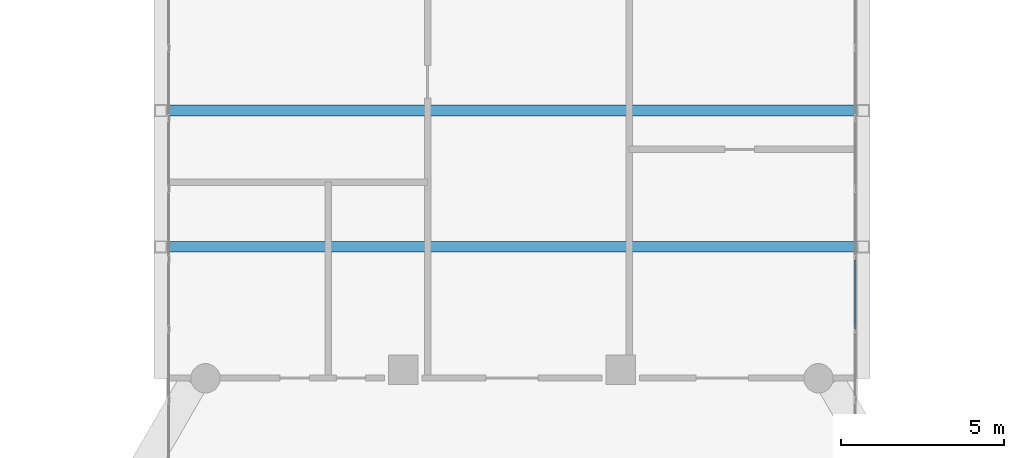
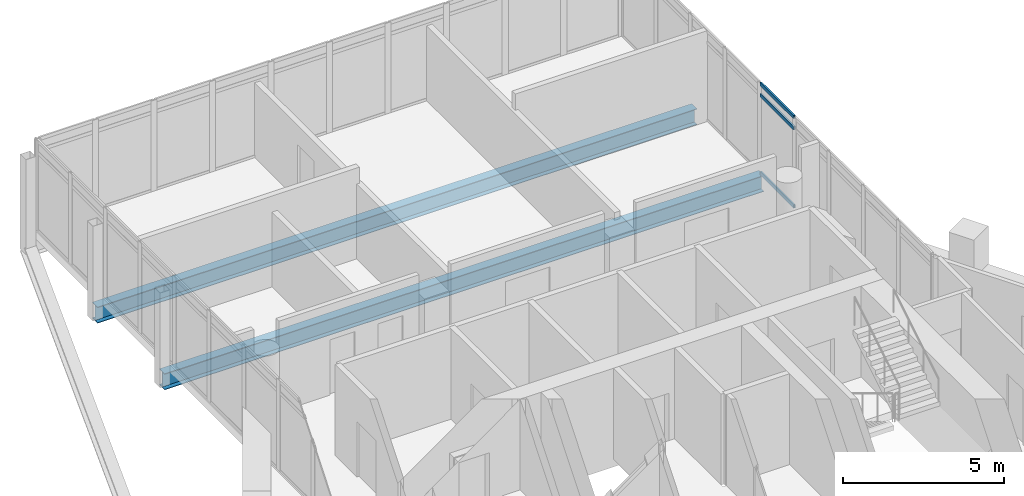
# One storey, part 20 of 34: 3 members, 2 beams, 1 element without a shape of its own.
"""IFC4 building model written with IfcOpenShell, lengths in metres."""

from ifc_helpers import new_model, si_unit, direction, frame, origin, origin_2d, place, context, subcontext, project, spatial, hollow_rectangle, i_section, extrude, material, material_profile, profile_set, type_object, element, aggregate, save


model = new_model("IFC4")

# Units and contexts
model_context = context("Model", 3, precision=1e-05, world=origin(), true_north=direction((0.0, 1.0)))
body_context = subcontext(model_context, "Body", "Model", "MODEL_VIEW")
ifc_project = project(units=[si_unit("LENGTHUNIT", "METRE"), si_unit("AREAUNIT", "SQUARE_METRE"), si_unit("VOLUMEUNIT", "CUBIC_METRE"), si_unit("PLANEANGLEUNIT", "RADIAN"), si_unit("MASSUNIT", "GRAM", prefix="KILO")], contexts=[model_context])

# Site, building, storey
site_placement = place(None, origin())
site = spatial("IfcSite", under=ifc_project, at=site_placement, CompositionType="ELEMENT")
building_placement = place(site_placement, origin())
building = spatial("IfcBuilding", under=site, at=building_placement, Name="Ostrander Bayou Hotel Tower", CompositionType="ELEMENT")
storey_placement = place(building_placement, frame((0.0, 0.0, 222.0)))
storey = spatial("IfcBuildingStorey", under=building, at=storey_placement, Name="L55", CompositionType="ELEMENT", Elevation=222.0)

# Curtain wall, members
ifc_material_1 = material(Name="Aluminium and clear glass", Category="aluminium")
curtain_wall_type = type_object("IfcCurtainWallType", Name="CW-BAR glazed wall", PredefinedType="NOTDEFINED", material=ifc_material_1)
curtain_wall_placement = place(storey_placement, origin())
curtain_wall = element("IfcCurtainWall", 1, at=curtain_wall_placement, inside=storey, type_object=curtain_wall_type, Name="CW-BAR L55:SB5N:W", PredefinedType="NOTDEFINED")
ifc_material_2 = material(Name="Aluminium", Category="aluminium")
ifc_material_profile_1 = material_profile(ifc_material_2, hollow_rectangle(XDim=0.06005859375, YDim=0.1298828125, WallThickness=0.00390625, at=origin_2d()))
ifc_profile_set_1 = profile_set([ifc_material_profile_1], Name="Aluminium")
member_type = type_object("IfcMemberType", Name="CW-BR transom 60 x 130 mm", PredefinedType="USERDEFINED", material=ifc_profile_set_1)
member_1_placement = place(storey_placement, frame((10.51220703125, 18.117919921875, 0.030029296875), z_axis=(0.0, 1.0, 0.0), x_axis=(-1.0, 0.0, 0.0)))
member_1 = element("IfcMember", 2, at=member_1_placement, type_object=member_type, Name="CW-BAR transom 5.1", ObjectType="TRANSOM", PredefinedType="USERDEFINED", context=body_context, shape_type="SweptSolid", body=[
    extrude(hollow_rectangle(XDim=0.06005859375, YDim=0.1298828125, WallThickness=0.00390625, at=origin_2d()), origin(), (0.0, 0.0, 1.0), 2.095703125),
])
member_2_placement = place(storey_placement, frame((10.51220703125, 18.117919921875, 3.0), z_axis=(0.0, 1.0, 0.0), x_axis=(-1.0, 0.0, 0.0)))
member_2 = element("IfcMember", 3, at=member_2_placement, type_object=member_type, Name="CW-BAR transom 5.2", ObjectType="TRANSOM", PredefinedType="USERDEFINED", context=body_context, shape_type="SweptSolid", body=[
    extrude(hollow_rectangle(XDim=0.06005859375, YDim=0.1298828125, WallThickness=0.00390625, at=origin_2d()), origin(), (0.0, 0.0, 1.0), 2.095703125),
])
member_3_placement = place(storey_placement, frame((10.51220703125, 18.117919921875, 3.419921875), z_axis=(0.0, 1.0, 0.0), x_axis=(-1.0, 0.0, 0.0)))
member_3 = element("IfcMember", 4, at=member_3_placement, type_object=member_type, Name="CW-BAR transom 5.3", ObjectType="TRANSOM", PredefinedType="USERDEFINED", context=body_context, shape_type="SweptSolid", body=[
    extrude(hollow_rectangle(XDim=0.06005859375, YDim=0.1298828125, WallThickness=0.00390625, at=origin_2d()), origin(), (0.0, 0.0, 1.0), 2.095703125),
])
aggregate(curtain_wall, [member_1, member_2, member_3])

# Beams
ifc_material_3 = material(Name="Steel ASTM A992", Category="steel")
ifc_material_profile_2 = material_profile(ifc_material_3, i_section(OverallWidth=0.32373046875, OverallDepth=0.611083984375, WebThickness=0.0126953125, FlangeThickness=0.01904296875, at=origin_2d()))
ifc_profile_set_2 = profile_set([ifc_material_profile_2], Name="Steel ASTM A992")
beam_type = type_object("IfcBeamType", Name="TF2 bar floor beam W24x104", PredefinedType="BEAM", material=ifc_profile_set_2)
for number, where, z_axis, x_axis, name in (
    (5, (-10.764892578125, 24.790283203125, -0.605712890625), (1.0, 0.0, 0.0), (0.0, 1.0, 0.0), "TF2 SB5W L1-2"),
    (6, (-10.764892578125, 20.6142578125, -0.605712890625), (1.0, 0.0, 0.0), (0.0, 1.0, 0.0), "TF2 SB5W L1-3"),
):
    element("IfcBeam", number, at=place(storey_placement, frame(where, z_axis=z_axis, x_axis=x_axis)), inside=storey, type_object=beam_type, Name=name, PredefinedType="BEAM", context=body_context, shape_type="SweptSolid", body=[
        extrude(i_section(OverallWidth=0.32373046875, OverallDepth=0.611083984375, WebThickness=0.0126953125, FlangeThickness=0.01904296875, at=origin_2d()), origin(), (0.0, 0.0, 1.0), 21.52978515625),
    ])

save(model, "model.ifc")
